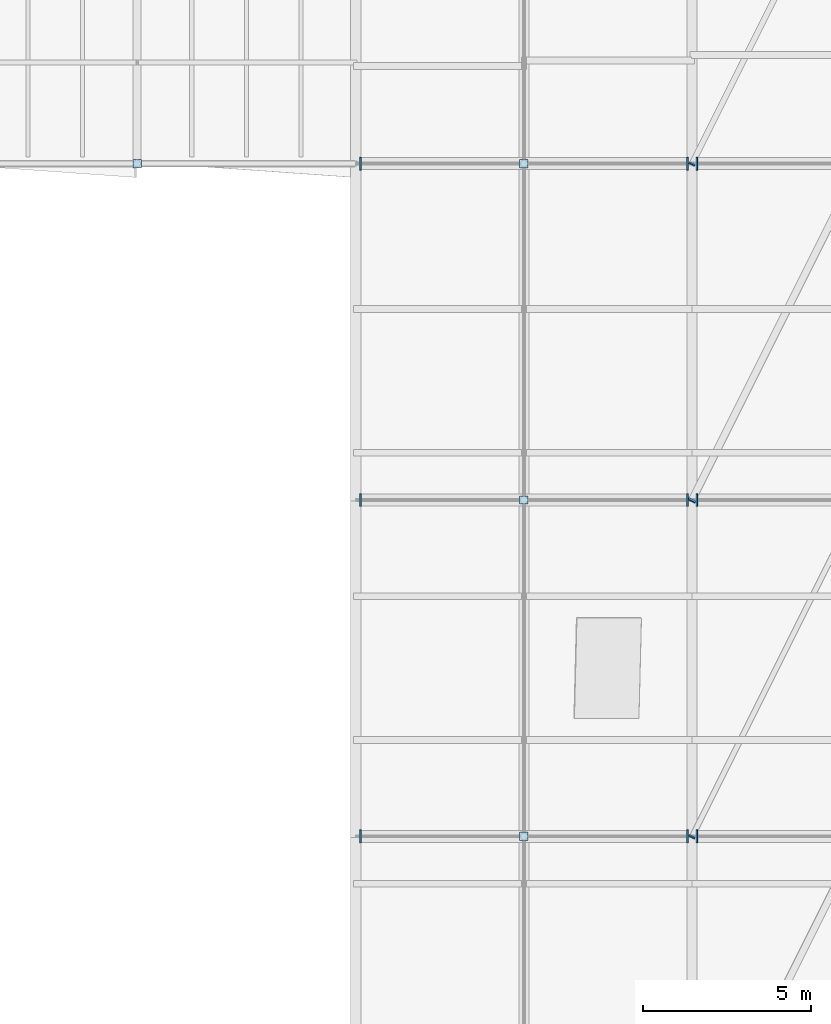
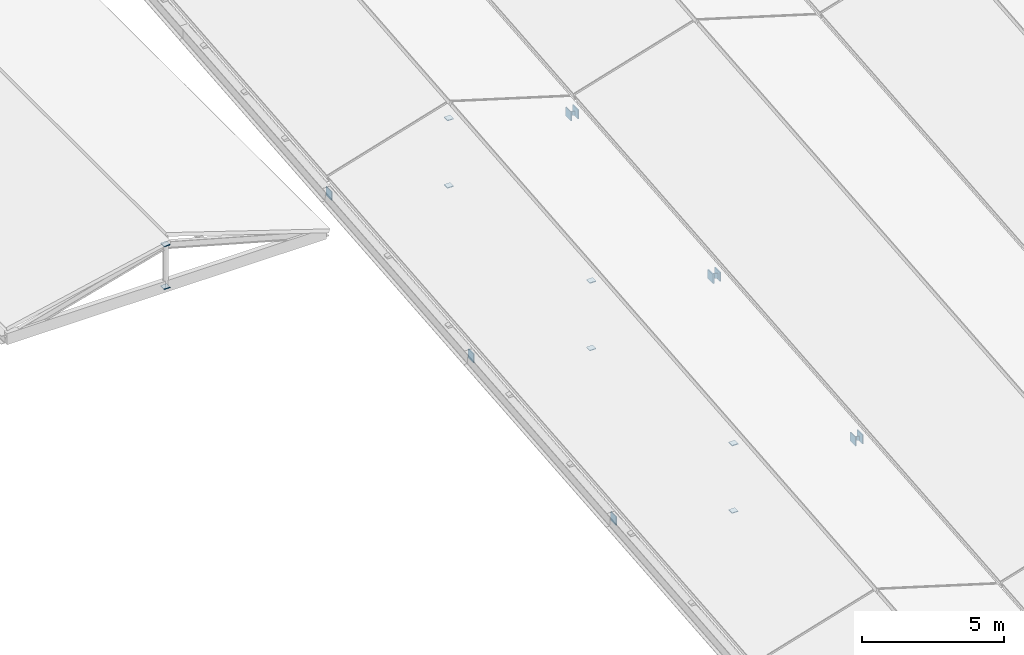
# One storey, part 79 of 90: 20 plates.
"""IFC4 building model written with IfcOpenShell, lengths in metres."""

from ifc_helpers import new_model, si_unit, direction, frame, origin, origin_2d, place, context, subcontext, project, spatial, rectangle, extrude, material, layer, layer_set, type_object, element, save


model = new_model("IFC4")

# Units and contexts
model_context = context("Model", 3, precision=1e-05, world=origin(), true_north=direction((0.0, 1.0)))
body_context = subcontext(model_context, "Body", "Model", "MODEL_VIEW")
ifc_project = project(units=[si_unit("LENGTHUNIT", "METRE"), si_unit("AREAUNIT", "SQUARE_METRE"), si_unit("VOLUMEUNIT", "CUBIC_METRE"), si_unit("PLANEANGLEUNIT", "RADIAN"), si_unit("MASSUNIT", "GRAM", prefix="KILO"), si_unit("THERMODYNAMICTEMPERATUREUNIT", "KELVIN"), si_unit("POWERUNIT", "WATT")], contexts=[model_context])

# Site, building, storey
site_placement = place(None, origin())
site = spatial("IfcSite", under=ifc_project, at=site_placement, CompositionType="ELEMENT")
building_placement = place(site_placement, origin())
building = spatial("IfcBuilding", under=site, at=building_placement, Name="Korenveer Ferry Terminal", CompositionType="ELEMENT")
storey_placement = place(building_placement, frame((0.0, 0.0, 22.199951171875)))
storey = spatial("IfcBuildingStorey", under=building, at=storey_placement, Name="RF", CompositionType="ELEMENT", Elevation=22.199951171875)

# Plates
ifc_material = material(Name="Steel S355", Category="steel")
ifc_layer_1 = layer(ifc_material, 0.031982421875)
ifc_layer_set_1 = layer_set([ifc_layer_1], Name="Steel S355")
plate_type_1 = type_object("IfcPlateType", Name="STR-PLT-CAP32", PredefinedType="USERDEFINED", material=ifc_layer_set_1)
for number, where, z_axis, x_axis, name in (
    (1, (58.0, 60.0, -9.15185546875), (0.0, 0.0, 1.0), (1.0, 0.0, 0.0), "Hollow section end cap 330"),
    (2, (58.0, 60.0, -6.259765625), (0.0, 0.0, 1.0), (1.0, 0.0, 0.0), "Hollow section end cap 331"),
    (3, (58.0, 70.0, -8.24365234375), (0.0, 0.0, 1.0), (1.0, 0.0, 0.0), "Hollow section end cap 358"),
    (4, (58.0, 70.0, -5.35205078125), (0.0, 0.0, 1.0), (1.0, 0.0, 0.0), "Hollow section end cap 359"),
    (5, (58.0, 80.0, -7.33544921875), (0.0, 0.0, 1.0), (1.0, 0.0, 0.0), "Hollow section end cap 386"),
    (6, (58.0, 80.0, -4.44384765625), (0.0, 0.0, 1.0), (1.0, 0.0, 0.0), "Hollow section end cap 387"),
    (7, (46.5, 80.0, -7.65185546875), (0.0, 0.0, 1.0), (1.0, 0.0, 0.0), "Hollow section end cap 506"),
    (8, (46.5, 80.0, -5.81982421875), (0.0, 0.0, 1.0), (1.0, 0.0, 0.0), "Hollow section end cap 507"),
):
    element("IfcPlate", number, at=place(storey_placement, frame(where, z_axis=z_axis, x_axis=x_axis)), inside=storey, type_object=plate_type_1, Name=name, ObjectType="END CAP PLATE", PredefinedType="USERDEFINED", context=body_context, shape_type="SweptSolid", body=[
        extrude(rectangle(XDim=0.2490234375, YDim=0.2490234375, at=origin_2d()), origin(), (0.0, 0.0, 1.0), 0.031982421875),
    ])
plate_1_placement = place(storey_placement, frame((62.98583984375, 59.97216796875, -7.7763671875), z_axis=(0.437110268059, 0.874220536117, 0.211360043028), x_axis=(-0.894427191, 0.4472135955, 0.0)))
element("IfcPlate", 9, at=plate_1_placement, inside=storey, type_object=plate_type_1, Name="Hollow section end cap 572", ObjectType="END CAP PLATE", PredefinedType="USERDEFINED", context=body_context, shape_type="SweptSolid", body=[
    extrude(rectangle(XDim=0.1982421875, YDim=0.1982421875, at=origin_2d()), origin(), (0.0, 0.0, 1.0), 0.031982421875),
])
plate_2_placement = place(storey_placement, frame((62.98583984375, 69.97216796875, -6.868408203125), z_axis=(0.437110268059, 0.874220536117, 0.211360043028), x_axis=(-0.894427191, 0.4472135955, 0.0)))
element("IfcPlate", 10, at=plate_2_placement, inside=storey, type_object=plate_type_1, Name="Hollow section end cap 574", ObjectType="END CAP PLATE", PredefinedType="USERDEFINED", context=body_context, shape_type="SweptSolid", body=[
    extrude(rectangle(XDim=0.2490234375, YDim=0.2490234375, at=origin_2d()), origin(), (0.0, 0.0, 1.0), 0.031982421875),
])
plate_3_placement = place(storey_placement, frame((62.98583984375, 79.97216796875, -5.96044921875), z_axis=(0.437110268059, 0.874220536117, 0.211360043028), x_axis=(-0.894427191, 0.4472135955, 0.0)))
element("IfcPlate", 11, at=plate_3_placement, inside=storey, type_object=plate_type_1, Name="Hollow section end cap 576", ObjectType="END CAP PLATE", PredefinedType="USERDEFINED", context=body_context, shape_type="SweptSolid", body=[
    extrude(rectangle(XDim=0.1982421875, YDim=0.1982421875, at=origin_2d()), origin(), (0.0, 0.0, 1.0), 0.031982421875),
])
ifc_layer_2 = layer(ifc_material, 0.0419921875)
ifc_layer_set_2 = layer_set([ifc_layer_2], Name="Steel S355")
plate_type_2 = type_object("IfcPlateType", Name="STR-PLT-CAP42", PredefinedType="USERDEFINED", material=ifc_layer_set_2)
for number, where, z_axis, x_axis, name in (
    (12, (53.117919921875, 60.0, -7.76953125), (1.0, 0.0, 0.0), (0.0, 1.0, 0.0), "Hollow section end cap 328"),
    (13, (62.840087890625, 60.0, -7.76953125), (1.0, 0.0, 0.0), (0.0, 1.0, 0.0), "Hollow section end cap 329"),
    (14, (63.117919921875, 60.0, -7.76953125), (1.0, 0.0, 0.0), (0.0, 1.0, 0.0), "Hollow section end cap 332"),
    (15, (53.117919921875, 70.0, -6.861572265625), (1.0, 0.0, 0.0), (0.0, 1.0, 0.0), "Hollow section end cap 356"),
    (16, (62.840087890625, 70.0, -6.861572265625), (1.0, 0.0, 0.0), (0.0, 1.0, 0.0), "Hollow section end cap 357"),
    (17, (63.117919921875, 70.0, -6.861572265625), (1.0, 0.0, 0.0), (0.0, 1.0, 0.0), "Hollow section end cap 360"),
    (18, (53.117919921875, 80.0, -5.95361328125), (1.0, 0.0, 0.0), (0.0, 1.0, 0.0), "Hollow section end cap 384"),
    (19, (62.840087890625, 80.0, -5.95361328125), (1.0, 0.0, 0.0), (0.0, 1.0, 0.0), "Hollow section end cap 385"),
    (20, (63.117919921875, 80.0, -5.95361328125), (1.0, 0.0, 0.0), (0.0, 1.0, 0.0), "Hollow section end cap 388"),
):
    element("IfcPlate", number, at=place(storey_placement, frame(where, z_axis=z_axis, x_axis=x_axis)), inside=storey, type_object=plate_type_2, Name=name, ObjectType="END CAP PLATE", PredefinedType="USERDEFINED", context=body_context, shape_type="SweptSolid", body=[
        extrude(rectangle(XDim=0.385498046875, YDim=0.385498046875, at=origin_2d()), origin(), (0.0, 0.0, 1.0), 0.0419921875),
    ])

save(model, "model.ifc")
